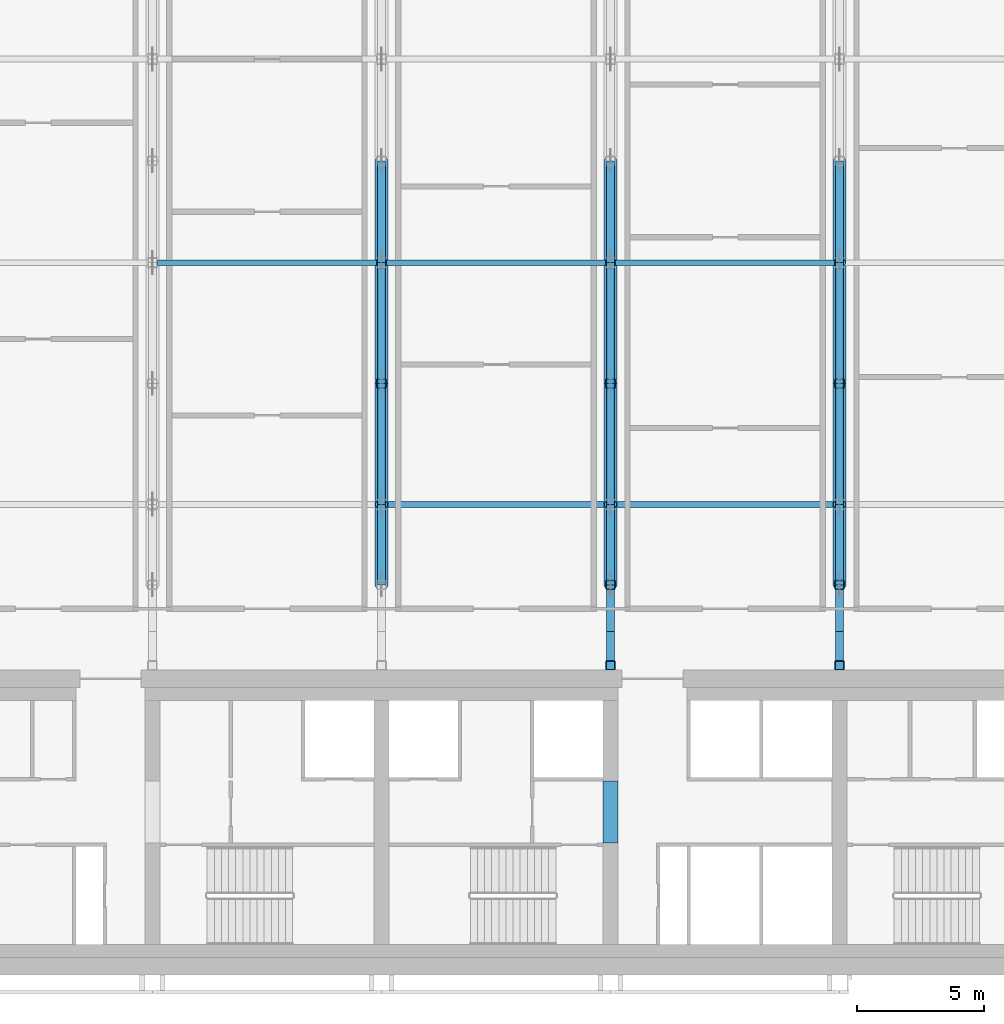
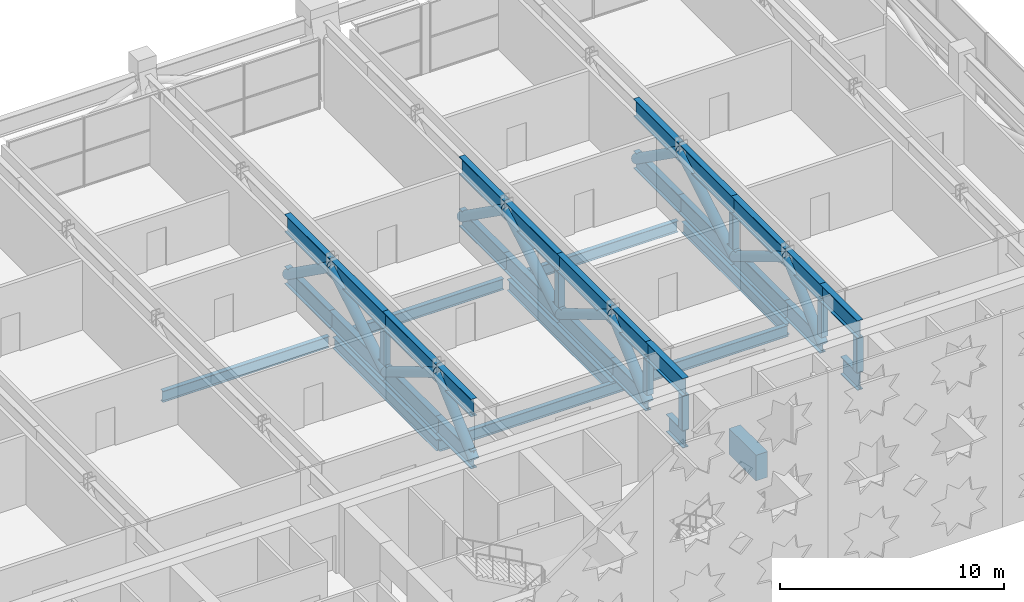
# One storey, part 6 of 26: 47 members, 8 beams.
"""IFC4 building model written with IfcOpenShell, lengths in metres."""

from ifc_helpers import new_model, si_unit, direction, frame, origin, origin_2d, place, context, subcontext, project, spatial, rectangle, hollow_rectangle, hollow_circle, i_section, extrude, material, material_profile, profile_set, type_object, element, save


model = new_model("IFC4")

# Units and contexts
model_context = context("Model", 3, precision=1e-05, world=origin(), true_north=direction((0.0, 1.0)))
body_context = subcontext(model_context, "Body", "Model", "MODEL_VIEW")
ifc_project = project(units=[si_unit("LENGTHUNIT", "METRE"), si_unit("AREAUNIT", "SQUARE_METRE"), si_unit("VOLUMEUNIT", "CUBIC_METRE"), si_unit("PLANEANGLEUNIT", "RADIAN"), si_unit("MASSUNIT", "GRAM", prefix="KILO")], contexts=[model_context])

# Site, building, storey
site_placement = place(None, origin())
site = spatial("IfcSite", under=ifc_project, at=site_placement, CompositionType="ELEMENT")
building_placement = place(site_placement, origin())
building = spatial("IfcBuilding", under=site, at=building_placement, Name="Zellij Exchange Tower", CompositionType="ELEMENT")
storey_placement = place(building_placement, frame((0.0, 0.0, 216.5)))
storey = spatial("IfcBuildingStorey", under=building, at=storey_placement, Name="L50", CompositionType="ELEMENT", Elevation=216.5)

# Beams
ifc_material_1 = material(Name="Concrete C50/60", Category="concrete")
ifc_material_profile_1 = material_profile(ifc_material_1, rectangle(XDim=0.60009765625, YDim=1.39990234375, at=origin_2d()), Name="CORE-CB 600x1400 C50/60")
ifc_profile_set_1 = profile_set([ifc_material_profile_1], Name="Concrete C50/60")
beam_type_1 = type_object("IfcBeamType", Name="CORE-CB 600x1400 C50/60", PredefinedType="BEAM", material=ifc_profile_set_1)
beam_1_placement = place(storey_placement, frame((9.0, -8.800048828125, 3.10009765625), z_axis=(0.0, 1.0, 0.0), x_axis=(-1.0, 0.0, 0.0)))
element("IfcBeam", 1, at=beam_1_placement, inside=storey, type_object=beam_type_1, Name="Core coupling beam x 9 L50", PredefinedType="BEAM", context=body_context, shape_type="SweptSolid", body=[
    extrude(rectangle(XDim=0.60009765625, YDim=1.39990234375, at=origin_2d()), origin(), (0.0, 0.0, 1.0), 2.425048828125),
])
ifc_material_2 = material(Name="Structural steel ASTM A992 Gr 50", Category="steel")
ifc_material_profile_2 = material_profile(ifc_material_2, i_section(OverallWidth=0.228271484375, OverallDepth=0.607177734375, WebThickness=0.01123046875, FlangeThickness=0.017333984375, at=origin_2d()), Name="W24x76")
ifc_profile_set_2 = profile_set([ifc_material_profile_2], Name="Structural steel ASTM A992 Gr 50")
beam_type_2 = type_object("IfcBeamType", Name="STR-GIRDER W24x76", PredefinedType="BEAM", material=ifc_profile_set_2)
beam_2_placement = place(storey_placement, frame((0.0, 4.5, -0.653564453125), z_axis=(1.0, 0.0, 0.0), x_axis=(0.0, 1.0, 0.0)))
element("IfcBeam", 2, at=beam_2_placement, inside=storey, type_object=beam_type_2, Name="G2", PredefinedType="BEAM", context=body_context, shape_type="SweptSolid", body=[
    extrude(i_section(OverallWidth=0.228271484375, OverallDepth=0.607177734375, WebThickness=0.01123046875, FlangeThickness=0.017333984375, at=origin_2d()), origin(), (0.0, 0.0, 1.0), 18.0),
])
for number, where, z_axis, x_axis, name in (
    (3, (-8.79541015625, 14.0, -0.653564453125), (1.0, 0.0, 0.0), (0.0, 1.0, 0.0), "G2"),
    (4, (0.20458984375, 14.0, -0.653564453125), (1.0, 0.0, 0.0), (0.0, 1.0, 0.0), "G2"),
    (5, (9.20458984375, 14.0, -0.653564453125), (1.0, 0.0, 0.0), (0.0, 1.0, 0.0), "G2"),
):
    element("IfcBeam", number, at=place(storey_placement, frame(where, z_axis=z_axis, x_axis=x_axis)), inside=storey, type_object=beam_type_2, Name=name, PredefinedType="BEAM", context=body_context, shape_type="SweptSolid", body=[
        extrude(i_section(OverallWidth=0.228271484375, OverallDepth=0.607177734375, WebThickness=0.01123046875, FlangeThickness=0.017333984375, at=origin_2d()), origin(), (0.0, 0.0, 1.0), 8.5908203125),
    ])
for number, where, z_axis, x_axis, name in (
    (6, (0.0, 4.5, -0.653564453125), (0.0, 1.0, 0.0), (-1.0, 0.0, 0.0), "G2"),
    (7, (9.0, 4.5, -0.653564453125), (0.0, 1.0, 0.0), (-1.0, 0.0, 0.0), "G2"),
    (8, (18.0, 4.5, -0.653564453125), (0.0, 1.0, 0.0), (-1.0, 0.0, 0.0), "G2"),
):
    element("IfcBeam", number, at=place(storey_placement, frame(where, z_axis=z_axis, x_axis=x_axis)), inside=storey, type_object=beam_type_2, Name=name, PredefinedType="BEAM", context=body_context, shape_type="SweptSolid", body=[
        extrude(i_section(OverallWidth=0.228271484375, OverallDepth=0.607177734375, WebThickness=0.01123046875, FlangeThickness=0.017333984375, at=origin_2d()), origin(), (0.0, 0.0, 1.0), 9.287841796875),
    ])

# Members
ifc_material_3 = material(Name="Structural steel ASTM A913 Gr 65", Category="steel")
ifc_material_profile_3 = material_profile(ifc_material_3, i_section(OverallWidth=0.2998046875, OverallDepth=0.965087890625, WebThickness=0.01904296875, FlangeThickness=0.0361328125, at=origin_2d()), Name="W40x249")
ifc_profile_set_3 = profile_set([ifc_material_profile_3], Name="Structural steel ASTM A913 Gr 65")
member_type_1 = type_object("IfcMemberType", Name="STR-OUTRIGGER TRUSS CHORD W40x249", PredefinedType="CHORD", material=ifc_profile_set_3)
for number, where, z_axis, x_axis, name in (
    (9, (0.0, 1.339111328125, 3.3173828125), (0.0, 1.0, 0.0), (-1.0, 0.0, 0.0), "OT1"),
    (10, (0.0, 1.339111328125, 0.482666015625), (0.0, 1.0, 0.0), (-1.0, 0.0, 0.0), "OT1"),
):
    element("IfcMember", number, at=place(storey_placement, frame(where, z_axis=z_axis, x_axis=x_axis)), inside=storey, type_object=member_type_1, Name=name, PredefinedType="CHORD", context=body_context, shape_type="SweptSolid", body=[
        extrude(i_section(OverallWidth=0.2998046875, OverallDepth=0.965087890625, WebThickness=0.01904296875, FlangeThickness=0.0361328125, at=origin_2d()), origin(), (0.0, 0.0, 1.0), 3.160888671875),
    ])
for number, where, z_axis, x_axis, name in (
    (11, (0.0, 4.5, 3.3173828125), (0.0, 1.0, 0.0), (-1.0, 0.0, 0.0), "OT1"),
    (12, (0.0, 4.5, 0.482666015625), (0.0, 1.0, 0.0), (-1.0, 0.0, 0.0), "OT1"),
    (13, (0.0, 9.25, 3.3173828125), (0.0, 1.0, 0.0), (-1.0, 0.0, 0.0), "OT1"),
    (14, (0.0, 9.25, 0.482666015625), (0.0, 1.0, 0.0), (-1.0, 0.0, 0.0), "OT1"),
):
    element("IfcMember", number, at=place(storey_placement, frame(where, z_axis=z_axis, x_axis=x_axis)), inside=storey, type_object=member_type_1, Name=name, PredefinedType="CHORD", context=body_context, shape_type="SweptSolid", body=[
        extrude(i_section(OverallWidth=0.2998046875, OverallDepth=0.965087890625, WebThickness=0.01904296875, FlangeThickness=0.0361328125, at=origin_2d()), origin(), (0.0, 0.0, 1.0), 4.75),
    ])
for number, where, z_axis, x_axis, name in (
    (15, (0.0, 14.0, 3.3173828125), (0.0, 1.0, 0.0), (-1.0, 0.0, 0.0), "OT1"),
    (16, (0.0, 14.0, 0.482666015625), (0.0, 1.0, 0.0), (-1.0, 0.0, 0.0), "OT1"),
):
    element("IfcMember", number, at=place(storey_placement, frame(where, z_axis=z_axis, x_axis=x_axis)), inside=storey, type_object=member_type_1, Name=name, PredefinedType="CHORD", context=body_context, shape_type="SweptSolid", body=[
        extrude(i_section(OverallWidth=0.2998046875, OverallDepth=0.965087890625, WebThickness=0.01904296875, FlangeThickness=0.0361328125, at=origin_2d()), origin(), (0.0, 0.0, 1.0), 4.0),
    ])
member_1_placement = place(storey_placement, frame((9.0, -2.0, 3.3173828125), z_axis=(0.0, 1.0, 0.0), x_axis=(-1.0, 0.0, 0.0)))
element("IfcMember", 17, at=member_1_placement, inside=storey, type_object=member_type_1, Name="OT1", PredefinedType="CHORD", context=body_context, shape_type="SweptSolid", body=[
    extrude(i_section(OverallWidth=0.2998046875, OverallDepth=0.965087890625, WebThickness=0.01904296875, FlangeThickness=0.0361328125, at=origin_2d()), origin(), (0.0, 0.0, 1.0), 3.339111328125),
])
member_2_placement = place(storey_placement, frame((9.0, -2.0, 0.482666015625), z_axis=(0.0, 1.0, 0.0), x_axis=(-1.0, 0.0, 0.0)))
element("IfcMember", 18, at=member_2_placement, inside=storey, type_object=member_type_1, Name="OT1", PredefinedType="CHORD", context=body_context, shape_type="SweptSolid", body=[
    extrude(i_section(OverallWidth=0.2998046875, OverallDepth=0.965087890625, WebThickness=0.01904296875, FlangeThickness=0.0361328125, at=origin_2d()), origin(), (0.0, 0.0, 1.0), 1.5),
])
for number, where, z_axis, x_axis, name in (
    (19, (9.0, 1.339111328125, 3.3173828125), (0.0, 1.0, 0.0), (-1.0, 0.0, 0.0), "OT1"),
    (20, (9.0, 1.339111328125, 0.482666015625), (0.0, 1.0, 0.0), (-1.0, 0.0, 0.0), "OT1"),
):
    element("IfcMember", number, at=place(storey_placement, frame(where, z_axis=z_axis, x_axis=x_axis)), inside=storey, type_object=member_type_1, Name=name, PredefinedType="CHORD", context=body_context, shape_type="SweptSolid", body=[
        extrude(i_section(OverallWidth=0.2998046875, OverallDepth=0.965087890625, WebThickness=0.01904296875, FlangeThickness=0.0361328125, at=origin_2d()), origin(), (0.0, 0.0, 1.0), 3.160888671875),
    ])
for number, where, z_axis, x_axis, name in (
    (21, (9.0, 4.5, 3.3173828125), (0.0, 1.0, 0.0), (-1.0, 0.0, 0.0), "OT1"),
    (22, (9.0, 4.5, 0.482666015625), (0.0, 1.0, 0.0), (-1.0, 0.0, 0.0), "OT1"),
    (23, (9.0, 9.25, 3.3173828125), (0.0, 1.0, 0.0), (-1.0, 0.0, 0.0), "OT1"),
    (24, (9.0, 9.25, 0.482666015625), (0.0, 1.0, 0.0), (-1.0, 0.0, 0.0), "OT1"),
):
    element("IfcMember", number, at=place(storey_placement, frame(where, z_axis=z_axis, x_axis=x_axis)), inside=storey, type_object=member_type_1, Name=name, PredefinedType="CHORD", context=body_context, shape_type="SweptSolid", body=[
        extrude(i_section(OverallWidth=0.2998046875, OverallDepth=0.965087890625, WebThickness=0.01904296875, FlangeThickness=0.0361328125, at=origin_2d()), origin(), (0.0, 0.0, 1.0), 4.75),
    ])
for number, where, z_axis, x_axis, name in (
    (25, (9.0, 14.0, 3.3173828125), (0.0, 1.0, 0.0), (-1.0, 0.0, 0.0), "OT1"),
    (26, (9.0, 14.0, 0.482666015625), (0.0, 1.0, 0.0), (-1.0, 0.0, 0.0), "OT1"),
):
    element("IfcMember", number, at=place(storey_placement, frame(where, z_axis=z_axis, x_axis=x_axis)), inside=storey, type_object=member_type_1, Name=name, PredefinedType="CHORD", context=body_context, shape_type="SweptSolid", body=[
        extrude(i_section(OverallWidth=0.2998046875, OverallDepth=0.965087890625, WebThickness=0.01904296875, FlangeThickness=0.0361328125, at=origin_2d()), origin(), (0.0, 0.0, 1.0), 4.0),
    ])
member_3_placement = place(storey_placement, frame((18.0, -2.0, 3.3173828125), z_axis=(0.0, 1.0, 0.0), x_axis=(-1.0, 0.0, 0.0)))
element("IfcMember", 27, at=member_3_placement, inside=storey, type_object=member_type_1, Name="OT1", PredefinedType="CHORD", context=body_context, shape_type="SweptSolid", body=[
    extrude(i_section(OverallWidth=0.2998046875, OverallDepth=0.965087890625, WebThickness=0.01904296875, FlangeThickness=0.0361328125, at=origin_2d()), origin(), (0.0, 0.0, 1.0), 3.339111328125),
])
member_4_placement = place(storey_placement, frame((18.0, -2.0, 0.482666015625), z_axis=(0.0, 1.0, 0.0), x_axis=(-1.0, 0.0, 0.0)))
element("IfcMember", 28, at=member_4_placement, inside=storey, type_object=member_type_1, Name="OT1", PredefinedType="CHORD", context=body_context, shape_type="SweptSolid", body=[
    extrude(i_section(OverallWidth=0.2998046875, OverallDepth=0.965087890625, WebThickness=0.01904296875, FlangeThickness=0.0361328125, at=origin_2d()), origin(), (0.0, 0.0, 1.0), 1.5),
])
for number, where, z_axis, x_axis, name in (
    (29, (18.0, 1.339111328125, 3.3173828125), (0.0, 1.0, 0.0), (-1.0, 0.0, 0.0), "OT1"),
    (30, (18.0, 1.339111328125, 0.482666015625), (0.0, 1.0, 0.0), (-1.0, 0.0, 0.0), "OT1"),
):
    element("IfcMember", number, at=place(storey_placement, frame(where, z_axis=z_axis, x_axis=x_axis)), inside=storey, type_object=member_type_1, Name=name, PredefinedType="CHORD", context=body_context, shape_type="SweptSolid", body=[
        extrude(i_section(OverallWidth=0.2998046875, OverallDepth=0.965087890625, WebThickness=0.01904296875, FlangeThickness=0.0361328125, at=origin_2d()), origin(), (0.0, 0.0, 1.0), 3.160888671875),
    ])
for number, where, z_axis, x_axis, name in (
    (31, (18.0, 4.5, 3.3173828125), (0.0, 1.0, 0.0), (-1.0, 0.0, 0.0), "OT1"),
    (32, (18.0, 4.5, 0.482666015625), (0.0, 1.0, 0.0), (-1.0, 0.0, 0.0), "OT1"),
    (33, (18.0, 9.25, 3.3173828125), (0.0, 1.0, 0.0), (-1.0, 0.0, 0.0), "OT1"),
    (34, (18.0, 9.25, 0.482666015625), (0.0, 1.0, 0.0), (-1.0, 0.0, 0.0), "OT1"),
):
    element("IfcMember", number, at=place(storey_placement, frame(where, z_axis=z_axis, x_axis=x_axis)), inside=storey, type_object=member_type_1, Name=name, PredefinedType="CHORD", context=body_context, shape_type="SweptSolid", body=[
        extrude(i_section(OverallWidth=0.2998046875, OverallDepth=0.965087890625, WebThickness=0.01904296875, FlangeThickness=0.0361328125, at=origin_2d()), origin(), (0.0, 0.0, 1.0), 4.75),
    ])
for number, where, z_axis, x_axis, name in (
    (35, (18.0, 14.0, 3.3173828125), (0.0, 1.0, 0.0), (-1.0, 0.0, 0.0), "OT1"),
    (36, (18.0, 14.0, 0.482666015625), (0.0, 1.0, 0.0), (-1.0, 0.0, 0.0), "OT1"),
):
    element("IfcMember", number, at=place(storey_placement, frame(where, z_axis=z_axis, x_axis=x_axis)), inside=storey, type_object=member_type_1, Name=name, PredefinedType="CHORD", context=body_context, shape_type="SweptSolid", body=[
        extrude(i_section(OverallWidth=0.2998046875, OverallDepth=0.965087890625, WebThickness=0.01904296875, FlangeThickness=0.0361328125, at=origin_2d()), origin(), (0.0, 0.0, 1.0), 4.0),
    ])
ifc_material_4 = material(Name="Structural steel ASTM A500 Gr C", Category="steel")
ifc_material_profile_4 = material_profile(ifc_material_4, hollow_circle(Radius=0.25390625, WallThickness=0.01171875, at=origin_2d()), Name="STR-OUTRIGGER TRUSS DIAGONAL HSS20.000x0.500")
ifc_profile_set_4 = profile_set([ifc_material_profile_4], Name="Structural steel ASTM A500 Gr C")
member_type_2 = type_object("IfcMemberType", Name="STR-OUTRIGGER TRUSS DIAGONAL HSS20.000x0.500", PredefinedType="BRACE", material=ifc_profile_set_4)
member_5_placement = place(storey_placement, frame((0.0, 1.339111328125, 0.482666015625), z_axis=(0.0, 0.744473836996, 0.667651635233), x_axis=(-1.0, 0.0, 0.0)))
element("IfcMember", 37, at=member_5_placement, inside=storey, type_object=member_type_2, Name="OT2", PredefinedType="BRACE", context=body_context, shape_type="SweptSolid", body=[
    extrude(hollow_circle(Radius=0.25390625, WallThickness=0.01171875, at=origin_2d()), origin(), (0.0, 0.0, 1.0), 4.245849609375),
])
for number, where, z_axis, x_axis, name in (
    (38, (0.0, 4.5, 3.3173828125), (0.0, 0.858709450823, -0.512462758712), (-1.0, 0.0, 0.0), "OT2"),
    (39, (0.0, 9.25, 0.482666015625), (0.0, 0.858709450823, 0.512462758712), (-1.0, 0.0, 0.0), "OT2"),
):
    element("IfcMember", number, at=place(storey_placement, frame(where, z_axis=z_axis, x_axis=x_axis)), inside=storey, type_object=member_type_2, Name=name, PredefinedType="BRACE", context=body_context, shape_type="SweptSolid", body=[
        extrude(hollow_circle(Radius=0.25390625, WallThickness=0.01171875, at=origin_2d()), origin(), (0.0, 0.0, 1.0), 5.531494140625),
    ])
member_6_placement = place(storey_placement, frame((0.0, 14.0, 3.3173828125), z_axis=(0.0, 0.815891357609, -0.57820523396), x_axis=(-1.0, 0.0, 0.0)))
element("IfcMember", 40, at=member_6_placement, inside=storey, type_object=member_type_2, Name="OT2", PredefinedType="BRACE", context=body_context, shape_type="SweptSolid", body=[
    extrude(hollow_circle(Radius=0.25390625, WallThickness=0.01171875, at=origin_2d()), origin(), (0.0, 0.0, 1.0), 4.902587890625),
])
member_7_placement = place(storey_placement, frame((9.0, 1.339111328125, 0.482666015625), z_axis=(0.0, 0.744473836996, 0.667651635233), x_axis=(-1.0, 0.0, 0.0)))
element("IfcMember", 41, at=member_7_placement, inside=storey, type_object=member_type_2, Name="OT2", PredefinedType="BRACE", context=body_context, shape_type="SweptSolid", body=[
    extrude(hollow_circle(Radius=0.25390625, WallThickness=0.01171875, at=origin_2d()), origin(), (0.0, 0.0, 1.0), 4.245849609375),
])
for number, where, z_axis, x_axis, name in (
    (42, (9.0, 4.5, 3.3173828125), (0.0, 0.858709450823, -0.512462758712), (-1.0, 0.0, 0.0), "OT2"),
    (43, (9.0, 9.25, 0.482666015625), (0.0, 0.858709450823, 0.512462758712), (-1.0, 0.0, 0.0), "OT2"),
):
    element("IfcMember", number, at=place(storey_placement, frame(where, z_axis=z_axis, x_axis=x_axis)), inside=storey, type_object=member_type_2, Name=name, PredefinedType="BRACE", context=body_context, shape_type="SweptSolid", body=[
        extrude(hollow_circle(Radius=0.25390625, WallThickness=0.01171875, at=origin_2d()), origin(), (0.0, 0.0, 1.0), 5.531494140625),
    ])
member_8_placement = place(storey_placement, frame((9.0, 14.0, 3.3173828125), z_axis=(0.0, 0.815891357609, -0.57820523396), x_axis=(-1.0, 0.0, 0.0)))
element("IfcMember", 44, at=member_8_placement, inside=storey, type_object=member_type_2, Name="OT2", PredefinedType="BRACE", context=body_context, shape_type="SweptSolid", body=[
    extrude(hollow_circle(Radius=0.25390625, WallThickness=0.01171875, at=origin_2d()), origin(), (0.0, 0.0, 1.0), 4.902587890625),
])
member_9_placement = place(storey_placement, frame((18.0, 1.339111328125, 0.482666015625), z_axis=(0.0, 0.744473836996, 0.667651635233), x_axis=(-1.0, 0.0, 0.0)))
element("IfcMember", 45, at=member_9_placement, inside=storey, type_object=member_type_2, Name="OT2", PredefinedType="BRACE", context=body_context, shape_type="SweptSolid", body=[
    extrude(hollow_circle(Radius=0.25390625, WallThickness=0.01171875, at=origin_2d()), origin(), (0.0, 0.0, 1.0), 4.245849609375),
])
for number, where, z_axis, x_axis, name in (
    (46, (18.0, 4.5, 3.3173828125), (0.0, 0.858709450823, -0.512462758712), (-1.0, 0.0, 0.0), "OT2"),
    (47, (18.0, 9.25, 0.482666015625), (0.0, 0.858709450823, 0.512462758712), (-1.0, 0.0, 0.0), "OT2"),
):
    element("IfcMember", number, at=place(storey_placement, frame(where, z_axis=z_axis, x_axis=x_axis)), inside=storey, type_object=member_type_2, Name=name, PredefinedType="BRACE", context=body_context, shape_type="SweptSolid", body=[
        extrude(hollow_circle(Radius=0.25390625, WallThickness=0.01171875, at=origin_2d()), origin(), (0.0, 0.0, 1.0), 5.531494140625),
    ])
member_10_placement = place(storey_placement, frame((18.0, 14.0, 3.3173828125), z_axis=(0.0, 0.815891357609, -0.57820523396), x_axis=(-1.0, 0.0, 0.0)))
element("IfcMember", 48, at=member_10_placement, inside=storey, type_object=member_type_2, Name="OT2", PredefinedType="BRACE", context=body_context, shape_type="SweptSolid", body=[
    extrude(hollow_circle(Radius=0.25390625, WallThickness=0.01171875, at=origin_2d()), origin(), (0.0, 0.0, 1.0), 4.902587890625),
])
ifc_material_profile_5 = material_profile(ifc_material_4, hollow_rectangle(XDim=0.355712890625, YDim=0.355712890625, WallThickness=0.01171875, InnerFilletRadius=0.01171875, OuterFilletRadius=0.023681640625, at=origin_2d()), Name="STR-OUTRIGGER TRUSS POST HSS14x14x1/2")
ifc_profile_set_5 = profile_set([ifc_material_profile_5], Name="Structural steel ASTM A500 Gr C")
member_type_3 = type_object("IfcMemberType", Name="STR-OUTRIGGER TRUSS POST HSS14x14x1/2", PredefinedType="POST", material=ifc_profile_set_5)
for number, where, z_axis, x_axis, name in (
    (49, (0.0, 9.25, 0.965087890625), (0.0, 0.0, 1.0), (1.0, 0.0, 0.0), "OT3"),
    (50, (9.0, -1.822265625, 0.965087890625), (0.0, 0.0, 1.0), (1.0, 0.0, 0.0), "OT3"),
    (51, (9.0, 1.339111328125, 0.965087890625), (0.0, 0.0, 1.0), (1.0, 0.0, 0.0), "OT3"),
    (52, (9.0, 9.25, 0.965087890625), (0.0, 0.0, 1.0), (1.0, 0.0, 0.0), "OT3"),
    (53, (18.0, -1.822265625, 0.965087890625), (0.0, 0.0, 1.0), (1.0, 0.0, 0.0), "OT3"),
    (54, (18.0, 1.339111328125, 0.965087890625), (0.0, 0.0, 1.0), (1.0, 0.0, 0.0), "OT3"),
    (55, (18.0, 9.25, 0.965087890625), (0.0, 0.0, 1.0), (1.0, 0.0, 0.0), "OT3"),
):
    element("IfcMember", number, at=place(storey_placement, frame(where, z_axis=z_axis, x_axis=x_axis)), inside=storey, type_object=member_type_3, Name=name, PredefinedType="POST", context=body_context, shape_type="SweptSolid", body=[
        extrude(hollow_rectangle(XDim=0.355712890625, YDim=0.355712890625, WallThickness=0.01171875, InnerFilletRadius=0.01171875, OuterFilletRadius=0.023681640625, at=origin_2d()), origin(), (0.0, 0.0, 1.0), 1.86962890625),
    ])

save(model, "model.ifc")
